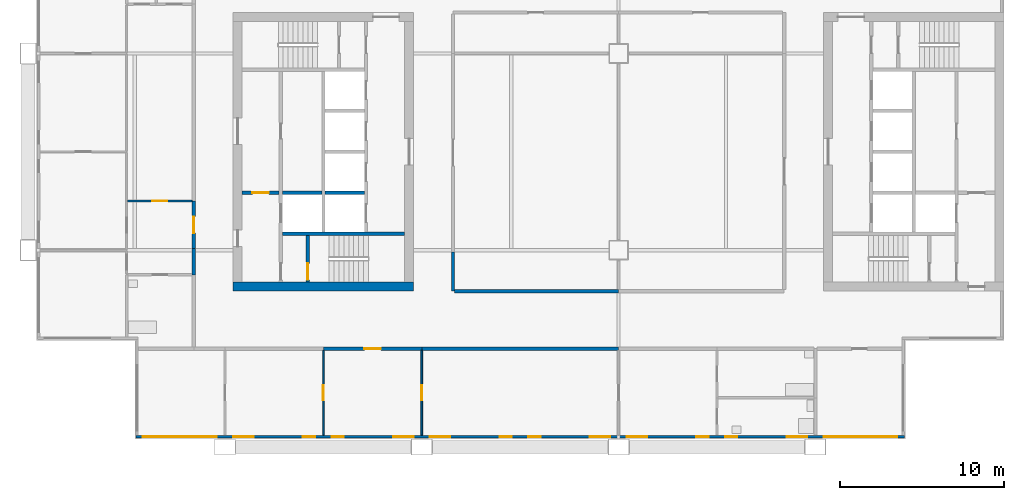
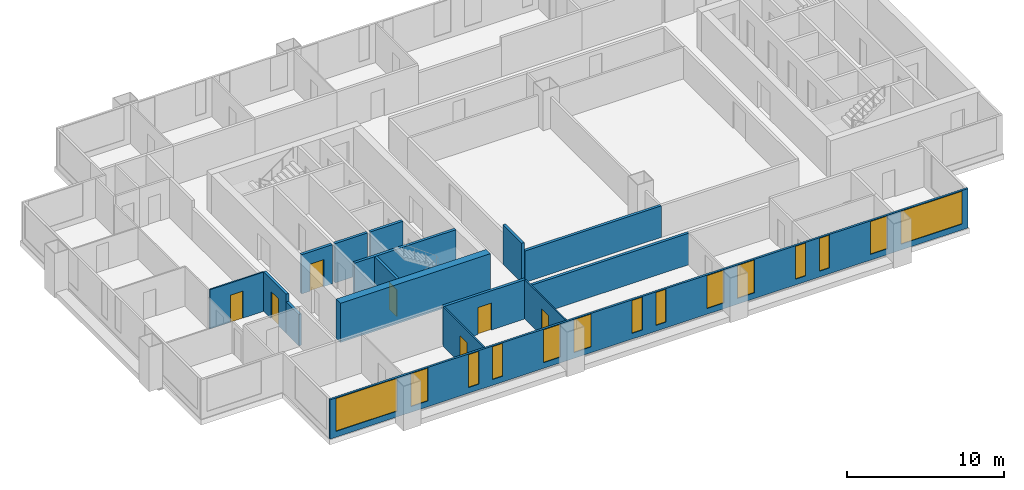
# One storey, part 2 of 9: 16 walls, 14 windows, 7 doors, 21 openings.
"""IFC4 building model written with IfcOpenShell, lengths in metres."""

import ifcopenshell
import ifcopenshell.guid

model = None  # the IFC model being written
_history = None  # IfcOwnerHistory: only IFC2X3 demands one
_inside = {}  # id of a spatial element -> (the spatial element, [elements in it])
_under = {}  # id of a project, library or spatial element -> (it, [spatial elements below it])
_declared = {}  # id of a project -> (the project, [libraries it declares])
_typed = {}  # id of a type object -> (the type object, [elements of that type])
_made_of = {}  # id of a material, layer set ... -> (it, [elements and type objects made of it])


def new_model(schema):
    """Start an empty IFC model of exactly this schema.

    Asked for "IFC4X3", IfcOpenShell would pick the latest addendum, in which some entities
    have other attributes; the version numbers below select the first issue.
    IFC2X3 requires an IfcOwnerHistory on every rooted entity: one is made here for all.
    """
    global model, _history
    if schema == "IFC4X3":
        model = ifcopenshell.file(schema_version=(4, 3, 0, 0))
    else:
        model = ifcopenshell.file(schema=schema)
    _inside.clear()
    _under.clear()
    _declared.clear()
    _typed.clear()
    _made_of.clear()
    _history = None
    if model.schema == "IFC2X3":
        org = make("IfcOrganization", Name="unknown")
        user = make(
            "IfcPersonAndOrganization",
            ThePerson=make("IfcPerson", FamilyName="unknown"),
            TheOrganization=org,
        )
        app = make(
            "IfcApplication",
            ApplicationDeveloper=org,
            Version="unknown",
            ApplicationFullName="unknown",
            ApplicationIdentifier="unknown",
        )
        _history = make(
            "IfcOwnerHistory",
            OwningUser=user,
            OwningApplication=app,
            ChangeAction="ADDED",
            CreationDate=0,
        )
    return model


def make(cls, **values):
    """One entity of the class cls with the attributes given. An attribute that is None is left unset."""
    return model.create_entity(
        cls, **{name: value for name, value in values.items() if value is not None}
    )


def rooted(cls, **values):
    """An entity with a GlobalId (a new one), such as an element, a storey or a relation."""
    return make(cls, GlobalId=ifcopenshell.guid.new(), OwnerHistory=_history, **values)


def si_unit(unit_type, name, prefix=None):
    """IfcSIUnit, for example si_unit("LENGTHUNIT", "METRE", prefix="MILLI")."""
    return make("IfcSIUnit", UnitType=unit_type, Prefix=prefix, Name=name)


def assignment(units):
    """IfcUnitAssignment: the units of a project."""
    return None if units is None else make("IfcUnitAssignment", Units=units)


def point(xyz):
    """IfcCartesianPoint."""
    return None if xyz is None else make("IfcCartesianPoint", Coordinates=xyz)


def direction(xyz):
    """IfcDirection."""
    return None if xyz is None else make("IfcDirection", DirectionRatios=xyz)


def frame(location, z_axis=None, x_axis=None):
    """IfcAxis2Placement3D, a coordinate frame: its origin and axes. An axis left out is left unset."""
    return make(
        "IfcAxis2Placement3D",
        Location=point(location),
        Axis=direction(z_axis),
        RefDirection=direction(x_axis),
    )


def frame_2d(location, x_axis=None):
    """IfcAxis2Placement2D, a coordinate frame in the plane: its origin and x axis."""
    return make(
        "IfcAxis2Placement2D", Location=point(location), RefDirection=direction(x_axis)
    )


def origin():
    """The frame at (0, 0, 0) with its axes left unset."""
    return frame((0.0, 0.0, 0.0))


def place(relative_to, where):
    """IfcLocalPlacement: puts the frame where relative to a parent placement (None: the world)."""
    return make(
        "IfcLocalPlacement", PlacementRelTo=relative_to, RelativePlacement=where
    )


def context(
    kind, dimensions, precision=None, world=None, true_north=None, identifier=None
):
    """IfcGeometricRepresentationContext, for example the 3D "Model" context."""
    return make(
        "IfcGeometricRepresentationContext",
        ContextIdentifier=identifier,
        ContextType=kind,
        CoordinateSpaceDimension=dimensions,
        Precision=precision,
        WorldCoordinateSystem=world,
        TrueNorth=true_north,
    )


def subcontext(parent, identifier, kind, view, scale=None):
    """IfcGeometricRepresentationSubContext, for example "Body" below "Model"."""
    return make(
        "IfcGeometricRepresentationSubContext",
        ContextIdentifier=identifier,
        ContextType=kind,
        ParentContext=parent,
        TargetScale=scale,
        TargetView=view,
    )


def project(units=None, contexts=None):
    """IfcProject with its units and contexts."""
    return rooted(
        "IfcProject",
        Name="project",
        RepresentationContexts=contexts,
        UnitsInContext=assignment(units),
    )


def spatial(cls, under=None, at=None, **own):
    """A site, building, storey or space (cls), placed at a placement, below another one or the project."""
    s = rooted(cls, ObjectPlacement=at, **own)
    if under is not None:
        _under.setdefault(under.id(), (under, []))[1].append(s)
    return s


def profile(cls, at=None, kind="AREA", **sizes):
    """A parametric profile (cls). Its sizes go by their IFC names, for example OverallWidth=200.0."""
    return make(cls, ProfileType=kind, Position=at, **sizes)


def rectangle(**sizes):
    """IfcRectangleProfileDef."""
    return profile("IfcRectangleProfileDef", **sizes)


def extrude(swept, where, along, depth):
    """IfcExtrudedAreaSolid: the profile swept, set in the frame where, extruded along a direction by depth."""
    return make(
        "IfcExtrudedAreaSolid",
        SweptArea=swept,
        Position=where,
        ExtrudedDirection=direction(along),
        Depth=depth,
    )


def shape(context_of_items, identifier, shape_type, items):
    """IfcShapeRepresentation: the items that make up one representation, for example the "Body"."""
    return make(
        "IfcShapeRepresentation",
        ContextOfItems=context_of_items,
        RepresentationIdentifier=identifier,
        RepresentationType=shape_type,
        Items=items,
    )


def material(Name=None, Category=None):
    """IfcMaterial."""
    return make("IfcMaterial", Name=Name, Category=Category)


def layer(
    of_material, thickness, ventilated=None, Name=None, Category=None, Priority=None
):
    """IfcMaterialLayer: one layer of a wall or slab, of a material (None: an air gap)."""
    return make(
        "IfcMaterialLayer",
        Material=of_material,
        LayerThickness=thickness,
        IsVentilated=ventilated,
        Name=Name,
        Category=Category,
        Priority=Priority,
    )


def layer_set(layers, Name=None):
    """IfcMaterialLayerSet."""
    return make("IfcMaterialLayerSet", MaterialLayers=layers, LayerSetName=Name)


def made_of(thing, what):
    """Note that an element or type object is made of a material, layer set ...; save() writes the relation."""
    if what is not None:
        _made_of.setdefault(what.id(), (what, []))[1].append(thing)
    return thing


def type_object(cls, material=None, **own):
    """A type object (cls), such as IfcWallType, which elements share."""
    return made_of(rooted(cls, **own), material)


def element(
    cls,
    number,
    at=None,
    inside=None,
    cuts=None,
    type_object=None,
    material=None,
    context=None,
    identifier="Body",
    shape_type=None,
    held_by="IfcProductDefinitionShape",
    body=None,
    shapes=None,
    **own,
):
    """One element of the class cls, such as IfcWall. Its Tag is "e" and its number.

    at: its placement. inside: the storey or other place that contains it. cuts: it is an
    opening in that element (IfcRelVoidsElement). A single representation is given by context,
    identifier, shape_type and body (its items); several are given by shapes. held_by: the class
    of the entity that holds the representations. save() writes the other relations.
    """
    e = rooted(cls, Tag="e%d" % number, ObjectPlacement=at, **own)
    if body is not None:
        shapes = [shape(context, identifier, shape_type, body)]
    if shapes is not None:
        e.Representation = make(held_by, Representations=shapes)
    if inside is not None:
        _inside.setdefault(inside.id(), (inside, []))[1].append(e)
    if cuts is not None:
        rooted(
            "IfcRelVoidsElement", RelatingBuildingElement=cuts, RelatedOpeningElement=e
        )
    if type_object is not None:
        _typed.setdefault(type_object.id(), (type_object, []))[1].append(e)
    return made_of(e, material)


def fill(opening, filler):
    """IfcRelFillsElement: the door or window that sits in an opening."""
    return rooted(
        "IfcRelFillsElement",
        RelatingOpeningElement=opening,
        RelatedBuildingElement=filler,
    )


def aggregate(whole, parts):
    """IfcRelAggregates: a whole, such as a stair, and the parts it consists of."""
    return rooted("IfcRelAggregates", RelatingObject=whole, RelatedObjects=parts)


def save(model, path):
    """Write the relations noted so far, then the file.

    IfcRelAggregates (storeys below a building ...), IfcRelContainedInSpatialStructure (elements
    in a storey), IfcRelDefinesByType, IfcRelAssociatesMaterial and IfcRelDeclares: one each for
    every whole, place, type object, material and project.
    """
    for whole, parts in _under.values():
        aggregate(whole, parts)
    for where, things in _inside.values():
        rooted(
            "IfcRelContainedInSpatialStructure",
            RelatedElements=things,
            RelatingStructure=where,
        )
    for kind, things in _typed.values():
        rooted("IfcRelDefinesByType", RelatedObjects=things, RelatingType=kind)
    for what, things in _made_of.values():
        rooted("IfcRelAssociatesMaterial", RelatedObjects=things, RelatingMaterial=what)
    for by, libraries in _declared.values():
        rooted("IfcRelDeclares", RelatingContext=by, RelatedDefinitions=libraries)
    model.write(path)


model = new_model("IFC4")

# Units and contexts
model_context = context("Model", 3, precision=1e-05, world=origin(), true_north=direction((0.0, 1.0)))
body_context = subcontext(model_context, "Body", "Model", "MODEL_VIEW")
ifc_project = project(units=[si_unit("LENGTHUNIT", "METRE"), si_unit("AREAUNIT", "SQUARE_METRE"), si_unit("VOLUMEUNIT", "CUBIC_METRE"), si_unit("PLANEANGLEUNIT", "RADIAN"), si_unit("MASSUNIT", "GRAM", prefix="KILO")], contexts=[model_context])

# Site, building, storey
site_placement = place(None, origin())
site = spatial("IfcSite", under=ifc_project, at=site_placement, CompositionType="ELEMENT")
building_placement = place(site_placement, origin())
building = spatial("IfcBuilding", under=site, at=building_placement, Name="Kitamizu Gate Tower and Museum", CompositionType="ELEMENT")
storey_placement = place(building_placement, frame((0.0, 0.0, 168.60009765625)))
storey = spatial("IfcBuildingStorey", under=building, at=storey_placement, Name="L44", CompositionType="ELEMENT", Elevation=168.60009765625)

# Wall
ifc_material_1 = material(Name="Concrete Fc42", Category="concrete")
ifc_layer_1 = layer(ifc_material_1, 0.550048828125)
ifc_layer_set_1 = layer_set([ifc_layer_1], Name="Concrete Fc42")
wall_type_1 = type_object("IfcWallType", Name="Core wall 550", PredefinedType="SHEAR", material=ifc_layer_set_1)
wall_1_placement = place(storey_placement, frame((12.5, 21.77490234375, 0.0), z_axis=(0.0, 0.0, 1.0), x_axis=(1.0, 0.0, 0.0)))
element("IfcWall", 1, at=wall_1_placement, inside=storey, type_object=wall_type_1, Name="Core wall WS", PredefinedType="SHEAR", context=body_context, shape_type="SweptSolid", body=[
    extrude(rectangle(XDim=11.0, YDim=0.550048828125, at=frame_2d((5.5, 0.0))), origin(), (0.0, 0.0, 1.0), 3.0498046875),
])

# Wall, opening, door
ifc_material_2 = material(Name="Gypsum board on galvanised stud")
ifc_layer_2 = layer(ifc_material_2, 0.10009765625)
ifc_layer_set_2 = layer_set([ifc_layer_2], Name="Gypsum board on galvanised stud")
wall_type_2 = type_object("IfcWallType", Name="Partition 100 NOT RATED", PredefinedType="PARTITIONING", material=ifc_layer_set_2)
wall_2_placement = place(storey_placement, frame((18.0, 12.719970703125, 0.0), z_axis=(0.0, 0.0, 1.0), x_axis=(0.0, 1.0, 0.0)))
wall_2 = element("IfcWall", 2, at=wall_2_placement, inside=storey, type_object=wall_type_2, Name="Partition L44-004", PredefinedType="PARTITIONING", context=body_context, shape_type="SweptSolid", body=[
    extrude(rectangle(XDim=5.179931640625, YDim=0.10009765625, at=frame_2d((2.58984375, 0.0))), origin(), (0.0, 0.0, 1.0), 3.0498046875),
])
opening_1_placement = place(wall_2_placement, frame((2.139892578125, 0.0, 0.0)))
opening_1 = element("IfcOpeningElement", 3, at=opening_1_placement, cuts=wall_2, Name="Opening L44-003", PredefinedType="OPENING", context=body_context, shape_type="SweptSolid", body=[
    extrude(rectangle(XDim=0.89990234375, YDim=2.10009765625, at=frame_2d((0.449951171875, 1.050048828125))), frame((0.0, 0.06005859375, 0.0), z_axis=(0.0, -1.0, 0.0), x_axis=(1.0, 0.0, 0.0)), (0.0, 0.0, 1.0), 0.1201171875),
])
ifc_material_3 = material(Name="Timber door set", Category="wood")
door_type_1 = type_object("IfcDoorType", Name="Room door 900", OperationType="NOTDEFINED", PredefinedType="DOOR", material=ifc_material_3)
door_1_placement = place(opening_1_placement, origin())
door_1 = element("IfcDoor", 4, at=door_1_placement, inside=storey, type_object=door_type_1, Name="Door L44-003", OperationType="SINGLE_SWING_RIGHT", OverallHeight=2.10009765625, OverallWidth=0.89990234375, PredefinedType="DOOR", context=body_context, shape_type="SweptSolid", body=[
    extrude(rectangle(XDim=0.89990234375, YDim=2.10009765625, at=frame_2d((0.449951171875, 1.050048828125))), frame((0.0, 0.02490234375, 0.0), z_axis=(0.0, -1.0, 0.0), x_axis=(1.0, 0.0, 0.0)), (0.0, 0.0, 1.0), 0.050048828125),
])
fill(opening_1, door_1)

wall_3_placement = place(storey_placement, frame((24.0, 12.719970703125, 0.0), z_axis=(0.0, 0.0, 1.0), x_axis=(0.0, 1.0, 0.0)))
wall_3 = element("IfcWall", 5, at=wall_3_placement, inside=storey, type_object=wall_type_2, Name="Partition L44-006", PredefinedType="PARTITIONING", context=body_context, shape_type="SweptSolid", body=[
    extrude(rectangle(XDim=5.179931640625, YDim=0.10009765625, at=frame_2d((2.58984375, 0.0))), origin(), (0.0, 0.0, 1.0), 3.0498046875),
])
opening_2_placement = place(wall_3_placement, frame((2.139892578125, 0.0, 0.0)))
opening_2 = element("IfcOpeningElement", 6, at=opening_2_placement, cuts=wall_3, Name="Opening L44-002", PredefinedType="OPENING", context=body_context, shape_type="SweptSolid", body=[
    extrude(rectangle(XDim=0.89990234375, YDim=2.10009765625, at=frame_2d((0.449951171875, 1.050048828125))), frame((0.0, 0.06005859375, 0.0), z_axis=(0.0, -1.0, 0.0), x_axis=(1.0, 0.0, 0.0)), (0.0, 0.0, 1.0), 0.1201171875),
])
door_2_placement = place(opening_2_placement, frame((0.89990234375, 0.0, 0.0), x_axis=(-1.0, 0.0, 0.0)))
door_2 = element("IfcDoor", 7, at=door_2_placement, inside=storey, type_object=door_type_1, Name="Door L44-002", OperationType="SINGLE_SWING_RIGHT", OverallHeight=2.10009765625, OverallWidth=0.89990234375, PredefinedType="DOOR", context=body_context, shape_type="SweptSolid", body=[
    extrude(rectangle(XDim=0.89990234375, YDim=2.10009765625, at=frame_2d((0.449951171875, 1.050048828125))), frame((0.0, 0.02490234375, 0.0), z_axis=(0.0, -1.0, 0.0), x_axis=(1.0, 0.0, 0.0)), (0.0, 0.0, 1.0), 0.050048828125),
])
fill(opening_2, door_2)

wall_4_placement = place(storey_placement, frame((10.0, 27.0, 0.0), z_axis=(0.0, 0.0, 1.0), x_axis=(-1.0, 0.0, 0.0)))
wall_4 = element("IfcWall", 8, at=wall_4_placement, inside=storey, type_object=wall_type_2, Name="Partition L44-049", PredefinedType="PARTITIONING", context=body_context, shape_type="SweptSolid", body=[
    extrude(rectangle(XDim=3.949951171875, YDim=0.10009765625, at=frame_2d((1.97509765625, 0.0))), origin(), (0.0, 0.0, 1.0), 3.0498046875),
])
opening_3_placement = place(wall_4_placement, frame((1.52490234375, 0.0, 0.0)))
opening_3 = element("IfcOpeningElement", 9, at=opening_3_placement, cuts=wall_4, Name="Opening L44-018", PredefinedType="OPENING", context=body_context, shape_type="SweptSolid", body=[
    extrude(rectangle(XDim=0.89990234375, YDim=2.10009765625, at=frame_2d((0.449951171875, 1.050048828125))), frame((0.0, 0.06005859375, 0.0), z_axis=(0.0, -1.0, 0.0), x_axis=(1.0, 0.0, 0.0)), (0.0, 0.0, 1.0), 0.1201171875),
])
door_3_placement = place(opening_3_placement, origin())
door_3 = element("IfcDoor", 10, at=door_3_placement, inside=storey, type_object=door_type_1, Name="Door L44-018", OperationType="SINGLE_SWING_RIGHT", OverallHeight=2.10009765625, OverallWidth=0.89990234375, PredefinedType="DOOR", context=body_context, shape_type="SweptSolid", body=[
    extrude(rectangle(XDim=0.89990234375, YDim=2.10009765625, at=frame_2d((0.449951171875, 1.050048828125))), frame((0.0, 0.02490234375, 0.0), z_axis=(0.0, -1.0, 0.0), x_axis=(1.0, 0.0, 0.0)), (0.0, 0.0, 1.0), 0.050048828125),
])
fill(opening_3, door_3)

ifc_material_4 = material(Name="Gypsum board on galvanised stud")
ifc_layer_3 = layer(ifc_material_4, 0.199951171875)
ifc_layer_set_3 = layer_set([ifc_layer_3], Name="Gypsum board on galvanised stud")
wall_type_3 = type_object("IfcWallType", Name="Partition 200", PredefinedType="PARTITIONING", material=ifc_layer_set_3)
wall_5_placement = place(storey_placement, frame((24.0, 18.0, 0.0), z_axis=(0.0, 0.0, 1.0), x_axis=(-1.0, 0.0, 0.0)))
wall_5 = element("IfcWall", 11, at=wall_5_placement, inside=storey, type_object=wall_type_3, Name="Partition L44-007", PredefinedType="PARTITIONING", context=body_context, shape_type="SweptSolid", body=[
    extrude(rectangle(XDim=6.0, YDim=0.199951171875, at=frame_2d((3.0, 0.0))), origin(), (0.0, 0.0, 1.0), 3.0498046875),
])
opening_4_placement = place(wall_5_placement, frame((2.5, 0.0, 0.0)))
opening_4 = element("IfcOpeningElement", 12, at=opening_4_placement, cuts=wall_5, Name="Opening L44-001", PredefinedType="OPENING", context=body_context, shape_type="SweptSolid", body=[
    extrude(rectangle(XDim=1.0, YDim=2.10009765625, at=frame_2d((0.5, 1.050048828125))), frame((0.0, 0.10986328125, 0.0), z_axis=(0.0, -1.0, 0.0), x_axis=(1.0, 0.0, 0.0)), (0.0, 0.0, 1.0), 0.219970703125),
])
ifc_material_5 = material(Name="Timber door set", Category="wood")
door_type_2 = type_object("IfcDoorType", Name="Flat entrance door 1000", OperationType="NOTDEFINED", PredefinedType="DOOR", material=ifc_material_5)
door_4_placement = place(opening_4_placement, origin())
door_4 = element("IfcDoor", 13, at=door_4_placement, inside=storey, type_object=door_type_2, Name="Flat entrance door L44-001", OperationType="SINGLE_SWING_RIGHT", OverallHeight=2.10009765625, OverallWidth=1.0, PredefinedType="DOOR", context=body_context, shape_type="SweptSolid", body=[
    extrude(rectangle(XDim=1.0, YDim=2.10009765625, at=frame_2d((0.5, 1.050048828125))), frame((0.0, 0.02490234375, 0.0), z_axis=(0.0, -1.0, 0.0), x_axis=(1.0, 0.0, 0.0)), (0.0, 0.0, 1.0), 0.050048828125),
])
fill(opening_4, door_4)

# Walls
wall_6_placement = place(storey_placement, frame((36.0, 18.0, 0.0), z_axis=(0.0, 0.0, 1.0), x_axis=(-1.0, 0.0, 0.0)))
element("IfcWall", 14, at=wall_6_placement, inside=storey, type_object=wall_type_3, Name="Partition L44-009", PredefinedType="PARTITIONING", context=body_context, shape_type="SweptSolid", body=[
    extrude(rectangle(XDim=12.0, YDim=0.199951171875, at=frame_2d((6.0, 0.0))), origin(), (0.0, 0.0, 1.0), 2.449951171875),
])
wall_7_placement = place(storey_placement, frame((10.10009765625, 22.5, 0.0), z_axis=(0.0, 0.0, 1.0), x_axis=(0.0, 1.0, 0.0)))
element("IfcWall", 15, at=wall_7_placement, inside=storey, type_object=wall_type_3, Name="Partition L44-050", PredefinedType="PARTITIONING", context=body_context, shape_type="SweptSolid", body=[
    extrude(rectangle(XDim=1.60009765625, YDim=0.199951171875, at=frame_2d((0.800048828125, 0.0))), origin(), (0.0, 0.0, 1.0), 2.449951171875),
])

# Wall, opening, door
wall_8_placement = place(storey_placement, frame((10.10009765625, 24.10009765625, 0.0), z_axis=(0.0, 0.0, 1.0), x_axis=(0.0, 1.0, 0.0)))
wall_8 = element("IfcWall", 16, at=wall_8_placement, inside=storey, type_object=wall_type_3, Name="Partition L44-051", PredefinedType="PARTITIONING", context=body_context, shape_type="SweptSolid", body=[
    extrude(rectangle(XDim=2.89990234375, YDim=0.199951171875, at=frame_2d((1.449951171875, 0.0))), origin(), (0.0, 0.0, 1.0), 3.0498046875),
])
opening_5_placement = place(wall_8_placement, frame((0.949951171875, 0.0, 0.0)))
opening_5 = element("IfcOpeningElement", 17, at=opening_5_placement, cuts=wall_8, Name="Opening L44-015", PredefinedType="OPENING", context=body_context, shape_type="SweptSolid", body=[
    extrude(rectangle(XDim=1.0, YDim=2.10009765625, at=frame_2d((0.5, 1.050048828125))), frame((0.0, 0.10986328125, 0.0), z_axis=(0.0, -1.0, 0.0), x_axis=(1.0, 0.0, 0.0)), (0.0, 0.0, 1.0), 0.219970703125),
])
door_5_placement = place(opening_5_placement, origin())
door_5 = element("IfcDoor", 18, at=door_5_placement, inside=storey, type_object=door_type_2, Name="Flat entrance door L44-015", OperationType="SINGLE_SWING_LEFT", OverallHeight=2.10009765625, OverallWidth=1.0, PredefinedType="DOOR", context=body_context, shape_type="SweptSolid", body=[
    extrude(rectangle(XDim=1.0, YDim=2.10009765625, at=frame_2d((0.5, 1.050048828125))), frame((0.0, 0.02490234375, 0.0), z_axis=(0.0, -1.0, 0.0), x_axis=(1.0, 0.0, 0.0)), (0.0, 0.0, 1.0), 0.050048828125),
])
fill(opening_5, door_5)

# Walls
wall_9_placement = place(storey_placement, frame((25.89990234375, 23.89990234375, 0.0), z_axis=(0.0, 0.0, 1.0), x_axis=(0.0, -1.0, 0.0)))
element("IfcWall", 19, at=wall_9_placement, inside=storey, type_object=wall_type_3, Name="Partition L44-059", PredefinedType="PARTITIONING", context=body_context, shape_type="SweptSolid", body=[
    extrude(rectangle(XDim=2.39990234375, YDim=0.199951171875, at=frame_2d((1.199951171875, 0.0))), origin(), (0.0, 0.0, 1.0), 3.0498046875),
])
wall_10_placement = place(storey_placement, frame((26.0, 21.5, 0.0), z_axis=(0.0, 0.0, 1.0), x_axis=(1.0, 0.0, 0.0)))
element("IfcWall", 20, at=wall_10_placement, inside=storey, type_object=wall_type_3, Name="Partition L44-060", PredefinedType="PARTITIONING", context=body_context, shape_type="SweptSolid", body=[
    extrude(rectangle(XDim=10.0, YDim=0.199951171875, at=frame_2d((5.0, 0.0))), origin(), (0.0, 0.0, 1.0), 2.449951171875),
])
ifc_material_6 = material(Name="Concrete Fc42", Category="concrete")
ifc_layer_4 = layer(ifc_material_6, 0.199951171875)
ifc_layer_set_4 = layer_set([ifc_layer_4], Name="Concrete Fc42")
wall_type_4 = type_object("IfcWallType", Name="Shaft wall 200", PredefinedType="SOLIDWALL", material=ifc_layer_set_4)
wall_11_placement = place(storey_placement, frame((15.5, 25.0, 0.0), z_axis=(0.0, 0.0, 1.0), x_axis=(1.0, 0.0, 0.0)))
element("IfcWall", 21, at=wall_11_placement, inside=storey, type_object=wall_type_4, Name="Shaft wall WSB", PredefinedType="SOLIDWALL", context=body_context, shape_type="SweptSolid", body=[
    extrude(rectangle(XDim=7.449951171875, YDim=0.199951171875, at=frame_2d((3.72509765625, 0.0))), origin(), (0.0, 0.0, 1.0), 3.0498046875),
])

# Wall, opening, door
wall_12_placement = place(storey_placement, frame((13.050048828125, 27.5, 0.0), z_axis=(0.0, 0.0, 1.0), x_axis=(1.0, 0.0, 0.0)))
wall_12 = element("IfcWall", 22, at=wall_12_placement, inside=storey, type_object=wall_type_4, Name="Shaft wall WFFN", PredefinedType="SOLIDWALL", context=body_context, shape_type="SweptSolid", body=[
    extrude(rectangle(XDim=2.25, YDim=0.199951171875, at=frame_2d((1.125, 0.0))), origin(), (0.0, 0.0, 1.0), 3.0498046875),
])
opening_6_placement = place(wall_12_placement, frame((0.625, 0.0, 0.0)))
opening_6 = element("IfcOpeningElement", 23, at=opening_6_placement, cuts=wall_12, Name="Opening L44-034", PredefinedType="OPENING", context=body_context, shape_type="SweptSolid", body=[
    extrude(rectangle(XDim=1.0, YDim=2.10009765625, at=frame_2d((0.5, 1.050048828125))), frame((0.0, 0.10986328125, 0.0), z_axis=(0.0, -1.0, 0.0), x_axis=(1.0, 0.0, 0.0)), (0.0, 0.0, 1.0), 0.219970703125),
])
ifc_material_7 = material(Name="Hollow metal door set")
door_type_3 = type_object("IfcDoorType", Name="Fire door 1000", OperationType="NOTDEFINED", PredefinedType="DOOR", material=ifc_material_7)
door_6_placement = place(opening_6_placement, frame((1.0, 0.0, 0.0), x_axis=(-1.0, 0.0, 0.0)))
door_6 = element("IfcDoor", 24, at=door_6_placement, inside=storey, type_object=door_type_3, Name="Fire-fighting lobby door L44-034", OperationType="SINGLE_SWING_LEFT", OverallHeight=2.10009765625, OverallWidth=1.0, PredefinedType="DOOR", context=body_context, shape_type="SweptSolid", body=[
    extrude(rectangle(XDim=1.0, YDim=2.10009765625, at=frame_2d((0.5, 1.050048828125))), frame((0.0, 0.02490234375, 0.0), z_axis=(0.0, -1.0, 0.0), x_axis=(1.0, 0.0, 0.0)), (0.0, 0.0, 1.0), 0.050048828125),
])
fill(opening_6, door_6)

wall_13_placement = place(storey_placement, frame((17.050048828125, 22.050048828125, 0.0), z_axis=(0.0, 0.0, 1.0), x_axis=(0.0, 1.0, 0.0)))
wall_13 = element("IfcWall", 25, at=wall_13_placement, inside=storey, type_object=wall_type_4, Name="Shaft wall WSZ", PredefinedType="SOLIDWALL", context=body_context, shape_type="SweptSolid", body=[
    extrude(rectangle(XDim=2.849853515625, YDim=0.199951171875, at=frame_2d((1.4248046875, 0.0))), origin(), (0.0, 0.0, 1.0), 3.0498046875),
])
opening_7_placement = place(wall_13_placement, frame((0.14990234375, 0.0, 0.0)))
opening_7 = element("IfcOpeningElement", 26, at=opening_7_placement, cuts=wall_13, Name="Opening L44-030", PredefinedType="OPENING", context=body_context, shape_type="SweptSolid", body=[
    extrude(rectangle(XDim=1.0, YDim=2.10009765625, at=frame_2d((0.5, 1.050048828125))), frame((0.0, 0.10986328125, 0.0), z_axis=(0.0, -1.0, 0.0), x_axis=(1.0, 0.0, 0.0)), (0.0, 0.0, 1.0), 0.219970703125),
])
door_7_placement = place(opening_7_placement, frame((1.0, 0.0, 0.0), x_axis=(-1.0, 0.0, 0.0)))
door_7 = element("IfcDoor", 27, at=door_7_placement, inside=storey, type_object=door_type_3, Name="Stair door L44-030", OperationType="SINGLE_SWING_LEFT", OverallHeight=2.10009765625, OverallWidth=1.0, PredefinedType="DOOR", context=body_context, shape_type="SweptSolid", body=[
    extrude(rectangle(XDim=1.0, YDim=2.10009765625, at=frame_2d((0.5, 1.050048828125))), frame((0.0, 0.02490234375, 0.0), z_axis=(0.0, -1.0, 0.0), x_axis=(1.0, 0.0, 0.0)), (0.0, 0.0, 1.0), 0.050048828125),
])
fill(opening_7, door_7)

# Walls
for number, where, z_axis, x_axis, name in (
    (28, (15.5, 27.5, 0.0), (0.0, 0.0, 1.0), (1.0, 0.0, 0.0), "Shaft wall WDVW0"),
    (29, (18.10009765625, 27.5, 0.0), (0.0, 0.0, 1.0), (1.0, 0.0, 0.0), "Shaft wall WDVE0"),
):
    element("IfcWall", number, at=place(storey_placement, frame(where, z_axis=z_axis, x_axis=x_axis)), inside=storey, type_object=wall_type_4, Name=name, PredefinedType="SOLIDWALL", context=body_context, shape_type="SweptSolid", body=[
        extrude(rectangle(XDim=2.39990234375, YDim=0.199951171875, at=frame_2d((1.199951171875, 0.0))), origin(), (0.0, 0.0, 1.0), 3.0498046875),
    ])

# Wall, openings, windows
ifc_material_8 = material(Name="Bronze anodised aluminium frame with insulated spandrel and tinted glass", Category="aluminium")
ifc_layer_5 = layer(ifc_material_8, 0.14990234375)
ifc_layer_set_5 = layer_set([ifc_layer_5], Name="Bronze anodised aluminium frame with insulated spandrel and tinted glass")
wall_type_5 = type_object("IfcWallType", Name="WINDOW WALL 150 BRONZE FRAME EI 30", PredefinedType="ELEMENTEDWALL", material=ifc_layer_set_5)
wall_14_placement = place(storey_placement, frame((6.56005859375, 12.635009765625, 0.0), z_axis=(0.0, 0.0, 1.0), x_axis=(1.0, 0.0, 0.0)))
wall_14 = element("IfcWall", 30, at=wall_14_placement, inside=storey, type_object=wall_type_5, Name="Window wall south L44", PredefinedType="ELEMENTEDWALL", context=body_context, shape_type="SweptSolid", body=[
    extrude(rectangle(XDim=46.8798828125, YDim=0.14990234375, at=frame_2d((23.43994140625, 0.0))), origin(), (0.0, 0.0, 1.0), 3.0498046875),
])
opening_8_placement = place(wall_14_placement, frame((0.43994140625, 0.0, 0.449951171875)))
opening_8 = element("IfcOpeningElement", 31, at=opening_8_placement, cuts=wall_14, Name="Opening W15", PredefinedType="OPENING", context=body_context, shape_type="SweptSolid", body=[
    extrude(rectangle(XDim=4.5, YDim=2.550048828125, at=frame_2d((2.25, 1.27490234375))), frame((0.0, 0.0849609375, 0.0), z_axis=(0.0, -1.0, 0.0), x_axis=(1.0, 0.0, 0.0)), (0.0, 0.0, 1.0), 0.169921875),
])
opening_9_placement = place(wall_14_placement, frame((5.93994140625, 0.0, 0.449951171875)))
opening_9 = element("IfcOpeningElement", 32, at=opening_9_placement, cuts=wall_14, Name="Opening W27", PredefinedType="OPENING", context=body_context, shape_type="SweptSolid", body=[
    extrude(rectangle(XDim=1.25, YDim=2.550048828125, at=frame_2d((0.625, 1.27490234375))), frame((0.0, 0.0849609375, 0.0), z_axis=(0.0, -1.0, 0.0), x_axis=(1.0, 0.0, 0.0)), (0.0, 0.0, 1.0), 0.169921875),
])
opening_10_placement = place(wall_14_placement, frame((10.18994140625, 0.0, 0.449951171875)))
opening_10 = element("IfcOpeningElement", 33, at=opening_10_placement, cuts=wall_14, Name="Opening W25", PredefinedType="OPENING", context=body_context, shape_type="SweptSolid", body=[
    extrude(rectangle(XDim=0.75, YDim=2.550048828125, at=frame_2d((0.375, 1.27490234375))), frame((0.0, 0.0849609375, 0.0), z_axis=(0.0, -1.0, 0.0), x_axis=(1.0, 0.0, 0.0)), (0.0, 0.0, 1.0), 0.169921875),
])
opening_11_placement = place(wall_14_placement, frame((11.93994140625, 0.0, 0.449951171875)))
opening_11 = element("IfcOpeningElement", 34, at=opening_11_placement, cuts=wall_14, Name="Opening W25", PredefinedType="OPENING", context=body_context, shape_type="SweptSolid", body=[
    extrude(rectangle(XDim=0.75, YDim=2.550048828125, at=frame_2d((0.375, 1.27490234375))), frame((0.0, 0.0849609375, 0.0), z_axis=(0.0, -1.0, 0.0), x_axis=(1.0, 0.0, 0.0)), (0.0, 0.0, 1.0), 0.169921875),
])
opening_12_placement = place(wall_14_placement, frame((15.68994140625, 0.0, 0.449951171875)))
opening_12 = element("IfcOpeningElement", 35, at=opening_12_placement, cuts=wall_14, Name="Opening W27", PredefinedType="OPENING", context=body_context, shape_type="SweptSolid", body=[
    extrude(rectangle(XDim=1.25, YDim=2.550048828125, at=frame_2d((0.625, 1.27490234375))), frame((0.0, 0.0849609375, 0.0), z_axis=(0.0, -1.0, 0.0), x_axis=(1.0, 0.0, 0.0)), (0.0, 0.0, 1.0), 0.169921875),
])
opening_13_placement = place(wall_14_placement, frame((17.93994140625, 0.0, 0.449951171875)))
opening_13 = element("IfcOpeningElement", 36, at=opening_13_placement, cuts=wall_14, Name="Opening W27", PredefinedType="OPENING", context=body_context, shape_type="SweptSolid", body=[
    extrude(rectangle(XDim=1.25, YDim=2.550048828125, at=frame_2d((0.625, 1.27490234375))), frame((0.0, 0.0849609375, 0.0), z_axis=(0.0, -1.0, 0.0), x_axis=(1.0, 0.0, 0.0)), (0.0, 0.0, 1.0), 0.169921875),
])
opening_14_placement = place(wall_14_placement, frame((22.18994140625, 0.0, 0.449951171875)))
opening_14 = element("IfcOpeningElement", 37, at=opening_14_placement, cuts=wall_14, Name="Opening W25", PredefinedType="OPENING", context=body_context, shape_type="SweptSolid", body=[
    extrude(rectangle(XDim=0.75, YDim=2.550048828125, at=frame_2d((0.375, 1.27490234375))), frame((0.0, 0.0849609375, 0.0), z_axis=(0.0, -1.0, 0.0), x_axis=(1.0, 0.0, 0.0)), (0.0, 0.0, 1.0), 0.169921875),
])
opening_15_placement = place(wall_14_placement, frame((23.93994140625, 0.0, 0.449951171875)))
opening_15 = element("IfcOpeningElement", 38, at=opening_15_placement, cuts=wall_14, Name="Opening W25", PredefinedType="OPENING", context=body_context, shape_type="SweptSolid", body=[
    extrude(rectangle(XDim=0.75, YDim=2.550048828125, at=frame_2d((0.375, 1.27490234375))), frame((0.0, 0.0849609375, 0.0), z_axis=(0.0, -1.0, 0.0), x_axis=(1.0, 0.0, 0.0)), (0.0, 0.0, 1.0), 0.169921875),
])
opening_16_placement = place(wall_14_placement, frame((27.68994140625, 0.0, 0.449951171875)))
opening_16 = element("IfcOpeningElement", 39, at=opening_16_placement, cuts=wall_14, Name="Opening W27", PredefinedType="OPENING", context=body_context, shape_type="SweptSolid", body=[
    extrude(rectangle(XDim=1.25, YDim=2.550048828125, at=frame_2d((0.625, 1.27490234375))), frame((0.0, 0.0849609375, 0.0), z_axis=(0.0, -1.0, 0.0), x_axis=(1.0, 0.0, 0.0)), (0.0, 0.0, 1.0), 0.169921875),
])
opening_17_placement = place(wall_14_placement, frame((29.93994140625, 0.0, 0.449951171875)))
opening_17 = element("IfcOpeningElement", 40, at=opening_17_placement, cuts=wall_14, Name="Opening W27", PredefinedType="OPENING", context=body_context, shape_type="SweptSolid", body=[
    extrude(rectangle(XDim=1.25, YDim=2.550048828125, at=frame_2d((0.625, 1.27490234375))), frame((0.0, 0.0849609375, 0.0), z_axis=(0.0, -1.0, 0.0), x_axis=(1.0, 0.0, 0.0)), (0.0, 0.0, 1.0), 0.169921875),
])
opening_18_placement = place(wall_14_placement, frame((34.18994140625, 0.0, 0.449951171875)))
opening_18 = element("IfcOpeningElement", 41, at=opening_18_placement, cuts=wall_14, Name="Opening W25", PredefinedType="OPENING", context=body_context, shape_type="SweptSolid", body=[
    extrude(rectangle(XDim=0.75, YDim=2.550048828125, at=frame_2d((0.375, 1.27490234375))), frame((0.0, 0.0849609375, 0.0), z_axis=(0.0, -1.0, 0.0), x_axis=(1.0, 0.0, 0.0)), (0.0, 0.0, 1.0), 0.169921875),
])
opening_19_placement = place(wall_14_placement, frame((35.93994140625, 0.0, 0.449951171875)))
opening_19 = element("IfcOpeningElement", 42, at=opening_19_placement, cuts=wall_14, Name="Opening W25", PredefinedType="OPENING", context=body_context, shape_type="SweptSolid", body=[
    extrude(rectangle(XDim=0.75, YDim=2.550048828125, at=frame_2d((0.375, 1.27490234375))), frame((0.0, 0.0849609375, 0.0), z_axis=(0.0, -1.0, 0.0), x_axis=(1.0, 0.0, 0.0)), (0.0, 0.0, 1.0), 0.169921875),
])
opening_20_placement = place(wall_14_placement, frame((39.68994140625, 0.0, 0.449951171875)))
opening_20 = element("IfcOpeningElement", 43, at=opening_20_placement, cuts=wall_14, Name="Opening W27", PredefinedType="OPENING", context=body_context, shape_type="SweptSolid", body=[
    extrude(rectangle(XDim=1.25, YDim=2.550048828125, at=frame_2d((0.625, 1.27490234375))), frame((0.0, 0.0849609375, 0.0), z_axis=(0.0, -1.0, 0.0), x_axis=(1.0, 0.0, 0.0)), (0.0, 0.0, 1.0), 0.169921875),
])
opening_21_placement = place(wall_14_placement, frame((41.93994140625, 0.0, 0.449951171875)))
opening_21 = element("IfcOpeningElement", 44, at=opening_21_placement, cuts=wall_14, Name="Opening W15", PredefinedType="OPENING", context=body_context, shape_type="SweptSolid", body=[
    extrude(rectangle(XDim=4.5, YDim=2.550048828125, at=frame_2d((2.25, 1.27490234375))), frame((0.0, 0.0849609375, 0.0), z_axis=(0.0, -1.0, 0.0), x_axis=(1.0, 0.0, 0.0)), (0.0, 0.0, 1.0), 0.169921875),
])
ifc_material_9 = material(Name="Bronze anodised aluminium frame, tinted triple glazing", Category="aluminium")
window_type_1 = type_object("IfcWindowType", Name="WINDOW 1250 x 2550 SILL 450", PartitioningType="SINGLE_PANEL", PredefinedType="WINDOW", material=ifc_material_9)
window_1_placement = place(opening_9_placement, origin())
window_1 = element("IfcWindow", 45, at=window_1_placement, inside=storey, type_object=window_type_1, Name="Window W27 L44", OverallHeight=2.550048828125, OverallWidth=1.25, PartitioningType="SINGLE_PANEL", PredefinedType="WINDOW", context=body_context, shape_type="SweptSolid", body=[
    extrude(rectangle(XDim=1.25, YDim=2.550048828125, at=frame_2d((0.625, 1.27490234375))), frame((0.0, 0.030029296875, 0.0), z_axis=(0.0, -1.0, 0.0), x_axis=(1.0, 0.0, 0.0)), (0.0, 0.0, 1.0), 0.06005859375),
])
fill(opening_9, window_1)
window_2_placement = place(opening_12_placement, origin())
window_2 = element("IfcWindow", 46, at=window_2_placement, inside=storey, type_object=window_type_1, Name="Window W27 L44", OverallHeight=2.550048828125, OverallWidth=1.25, PartitioningType="SINGLE_PANEL", PredefinedType="WINDOW", context=body_context, shape_type="SweptSolid", body=[
    extrude(rectangle(XDim=1.25, YDim=2.550048828125, at=frame_2d((0.625, 1.27490234375))), frame((0.0, 0.030029296875, 0.0), z_axis=(0.0, -1.0, 0.0), x_axis=(1.0, 0.0, 0.0)), (0.0, 0.0, 1.0), 0.06005859375),
])
fill(opening_12, window_2)
window_3_placement = place(opening_13_placement, origin())
window_3 = element("IfcWindow", 47, at=window_3_placement, inside=storey, type_object=window_type_1, Name="Window W27 L44", OverallHeight=2.550048828125, OverallWidth=1.25, PartitioningType="SINGLE_PANEL", PredefinedType="WINDOW", context=body_context, shape_type="SweptSolid", body=[
    extrude(rectangle(XDim=1.25, YDim=2.550048828125, at=frame_2d((0.625, 1.27490234375))), frame((0.0, 0.030029296875, 0.0), z_axis=(0.0, -1.0, 0.0), x_axis=(1.0, 0.0, 0.0)), (0.0, 0.0, 1.0), 0.06005859375),
])
fill(opening_13, window_3)
window_4_placement = place(opening_16_placement, origin())
window_4 = element("IfcWindow", 48, at=window_4_placement, inside=storey, type_object=window_type_1, Name="Window W27 L44", OverallHeight=2.550048828125, OverallWidth=1.25, PartitioningType="SINGLE_PANEL", PredefinedType="WINDOW", context=body_context, shape_type="SweptSolid", body=[
    extrude(rectangle(XDim=1.25, YDim=2.550048828125, at=frame_2d((0.625, 1.27490234375))), frame((0.0, 0.030029296875, 0.0), z_axis=(0.0, -1.0, 0.0), x_axis=(1.0, 0.0, 0.0)), (0.0, 0.0, 1.0), 0.06005859375),
])
fill(opening_16, window_4)
window_5_placement = place(opening_17_placement, origin())
window_5 = element("IfcWindow", 49, at=window_5_placement, inside=storey, type_object=window_type_1, Name="Window W27 L44", OverallHeight=2.550048828125, OverallWidth=1.25, PartitioningType="SINGLE_PANEL", PredefinedType="WINDOW", context=body_context, shape_type="SweptSolid", body=[
    extrude(rectangle(XDim=1.25, YDim=2.550048828125, at=frame_2d((0.625, 1.27490234375))), frame((0.0, 0.030029296875, 0.0), z_axis=(0.0, -1.0, 0.0), x_axis=(1.0, 0.0, 0.0)), (0.0, 0.0, 1.0), 0.06005859375),
])
fill(opening_17, window_5)
window_6_placement = place(opening_20_placement, origin())
window_6 = element("IfcWindow", 50, at=window_6_placement, inside=storey, type_object=window_type_1, Name="Window W27 L44", OverallHeight=2.550048828125, OverallWidth=1.25, PartitioningType="SINGLE_PANEL", PredefinedType="WINDOW", context=body_context, shape_type="SweptSolid", body=[
    extrude(rectangle(XDim=1.25, YDim=2.550048828125, at=frame_2d((0.625, 1.27490234375))), frame((0.0, 0.030029296875, 0.0), z_axis=(0.0, -1.0, 0.0), x_axis=(1.0, 0.0, 0.0)), (0.0, 0.0, 1.0), 0.06005859375),
])
fill(opening_20, window_6)
ifc_material_10 = material(Name="Bronze anodised aluminium frame, tinted triple glazing", Category="aluminium")
window_type_2 = type_object("IfcWindowType", Name="WINDOW 4500 x 2550 SILL 450", PartitioningType="SINGLE_PANEL", PredefinedType="WINDOW", material=ifc_material_10)
window_7_placement = place(opening_8_placement, origin())
window_7 = element("IfcWindow", 51, at=window_7_placement, inside=storey, type_object=window_type_2, Name="Window W15 L44", OverallHeight=2.550048828125, OverallWidth=4.5, PartitioningType="SINGLE_PANEL", PredefinedType="WINDOW", context=body_context, shape_type="SweptSolid", body=[
    extrude(rectangle(XDim=4.5, YDim=2.550048828125, at=frame_2d((2.25, 1.27490234375))), frame((0.0, 0.030029296875, 0.0), z_axis=(0.0, -1.0, 0.0), x_axis=(1.0, 0.0, 0.0)), (0.0, 0.0, 1.0), 0.06005859375),
])
fill(opening_8, window_7)
window_8_placement = place(opening_21_placement, origin())
window_8 = element("IfcWindow", 52, at=window_8_placement, inside=storey, type_object=window_type_2, Name="Window W15 L44", OverallHeight=2.550048828125, OverallWidth=4.5, PartitioningType="SINGLE_PANEL", PredefinedType="WINDOW", context=body_context, shape_type="SweptSolid", body=[
    extrude(rectangle(XDim=4.5, YDim=2.550048828125, at=frame_2d((2.25, 1.27490234375))), frame((0.0, 0.030029296875, 0.0), z_axis=(0.0, -1.0, 0.0), x_axis=(1.0, 0.0, 0.0)), (0.0, 0.0, 1.0), 0.06005859375),
])
fill(opening_21, window_8)
ifc_material_11 = material(Name="Bronze anodised aluminium frame, tinted triple glazing", Category="aluminium")
window_type_3 = type_object("IfcWindowType", Name="WINDOW 750 x 2550 SILL 450", PartitioningType="SINGLE_PANEL", PredefinedType="WINDOW", material=ifc_material_11)
window_9_placement = place(opening_10_placement, origin())
window_9 = element("IfcWindow", 53, at=window_9_placement, inside=storey, type_object=window_type_3, Name="Window W25 L44", OverallHeight=2.550048828125, OverallWidth=0.75, PartitioningType="SINGLE_PANEL", PredefinedType="WINDOW", context=body_context, shape_type="SweptSolid", body=[
    extrude(rectangle(XDim=0.75, YDim=2.550048828125, at=frame_2d((0.375, 1.27490234375))), frame((0.0, 0.030029296875, 0.0), z_axis=(0.0, -1.0, 0.0), x_axis=(1.0, 0.0, 0.0)), (0.0, 0.0, 1.0), 0.06005859375),
])
fill(opening_10, window_9)
window_10_placement = place(opening_11_placement, origin())
window_10 = element("IfcWindow", 54, at=window_10_placement, inside=storey, type_object=window_type_3, Name="Window W25 L44", OverallHeight=2.550048828125, OverallWidth=0.75, PartitioningType="SINGLE_PANEL", PredefinedType="WINDOW", context=body_context, shape_type="SweptSolid", body=[
    extrude(rectangle(XDim=0.75, YDim=2.550048828125, at=frame_2d((0.375, 1.27490234375))), frame((0.0, 0.030029296875, 0.0), z_axis=(0.0, -1.0, 0.0), x_axis=(1.0, 0.0, 0.0)), (0.0, 0.0, 1.0), 0.06005859375),
])
fill(opening_11, window_10)
window_11_placement = place(opening_14_placement, origin())
window_11 = element("IfcWindow", 55, at=window_11_placement, inside=storey, type_object=window_type_3, Name="Window W25 L44", OverallHeight=2.550048828125, OverallWidth=0.75, PartitioningType="SINGLE_PANEL", PredefinedType="WINDOW", context=body_context, shape_type="SweptSolid", body=[
    extrude(rectangle(XDim=0.75, YDim=2.550048828125, at=frame_2d((0.375, 1.27490234375))), frame((0.0, 0.030029296875, 0.0), z_axis=(0.0, -1.0, 0.0), x_axis=(1.0, 0.0, 0.0)), (0.0, 0.0, 1.0), 0.06005859375),
])
fill(opening_14, window_11)
window_12_placement = place(opening_15_placement, origin())
window_12 = element("IfcWindow", 56, at=window_12_placement, inside=storey, type_object=window_type_3, Name="Window W25 L44", OverallHeight=2.550048828125, OverallWidth=0.75, PartitioningType="SINGLE_PANEL", PredefinedType="WINDOW", context=body_context, shape_type="SweptSolid", body=[
    extrude(rectangle(XDim=0.75, YDim=2.550048828125, at=frame_2d((0.375, 1.27490234375))), frame((0.0, 0.030029296875, 0.0), z_axis=(0.0, -1.0, 0.0), x_axis=(1.0, 0.0, 0.0)), (0.0, 0.0, 1.0), 0.06005859375),
])
fill(opening_15, window_12)
window_13_placement = place(opening_18_placement, origin())
window_13 = element("IfcWindow", 57, at=window_13_placement, inside=storey, type_object=window_type_3, Name="Window W25 L44", OverallHeight=2.550048828125, OverallWidth=0.75, PartitioningType="SINGLE_PANEL", PredefinedType="WINDOW", context=body_context, shape_type="SweptSolid", body=[
    extrude(rectangle(XDim=0.75, YDim=2.550048828125, at=frame_2d((0.375, 1.27490234375))), frame((0.0, 0.030029296875, 0.0), z_axis=(0.0, -1.0, 0.0), x_axis=(1.0, 0.0, 0.0)), (0.0, 0.0, 1.0), 0.06005859375),
])
fill(opening_18, window_13)
window_14_placement = place(opening_19_placement, origin())
window_14 = element("IfcWindow", 58, at=window_14_placement, inside=storey, type_object=window_type_3, Name="Window W25 L44", OverallHeight=2.550048828125, OverallWidth=0.75, PartitioningType="SINGLE_PANEL", PredefinedType="WINDOW", context=body_context, shape_type="SweptSolid", body=[
    extrude(rectangle(XDim=0.75, YDim=2.550048828125, at=frame_2d((0.375, 1.27490234375))), frame((0.0, 0.030029296875, 0.0), z_axis=(0.0, -1.0, 0.0), x_axis=(1.0, 0.0, 0.0)), (0.0, 0.0, 1.0), 0.06005859375),
])
fill(opening_19, window_14)

save(model, "model.ifc")
